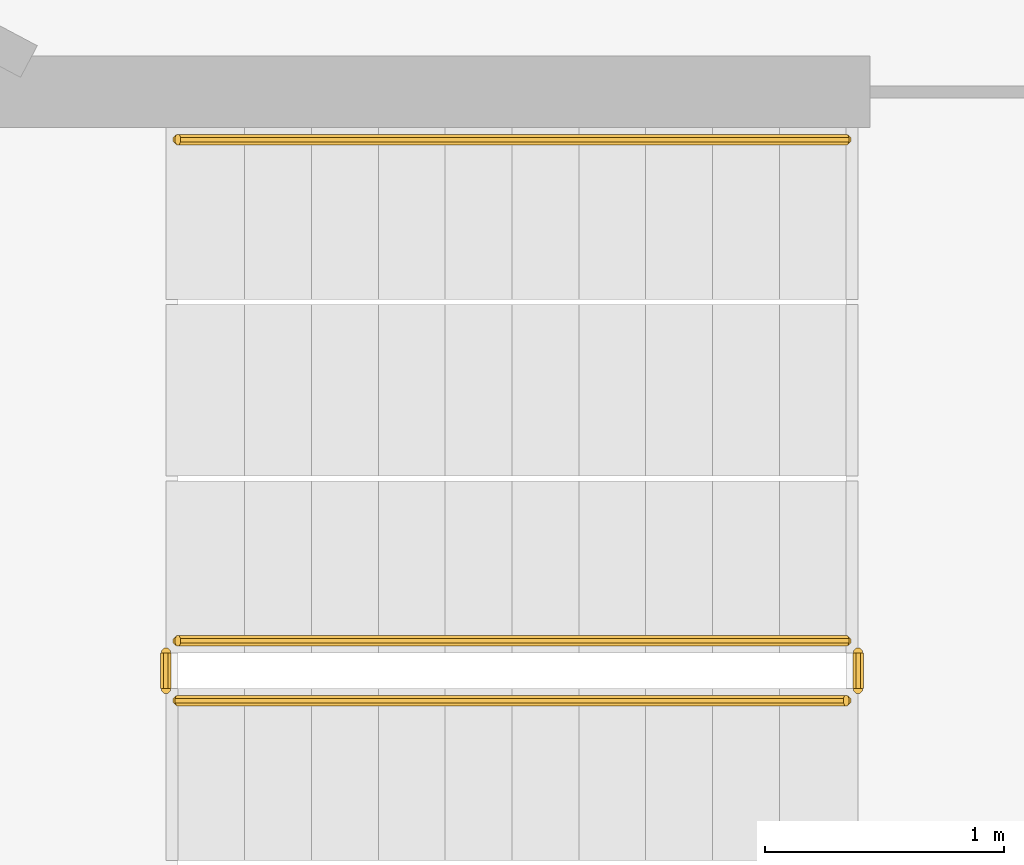
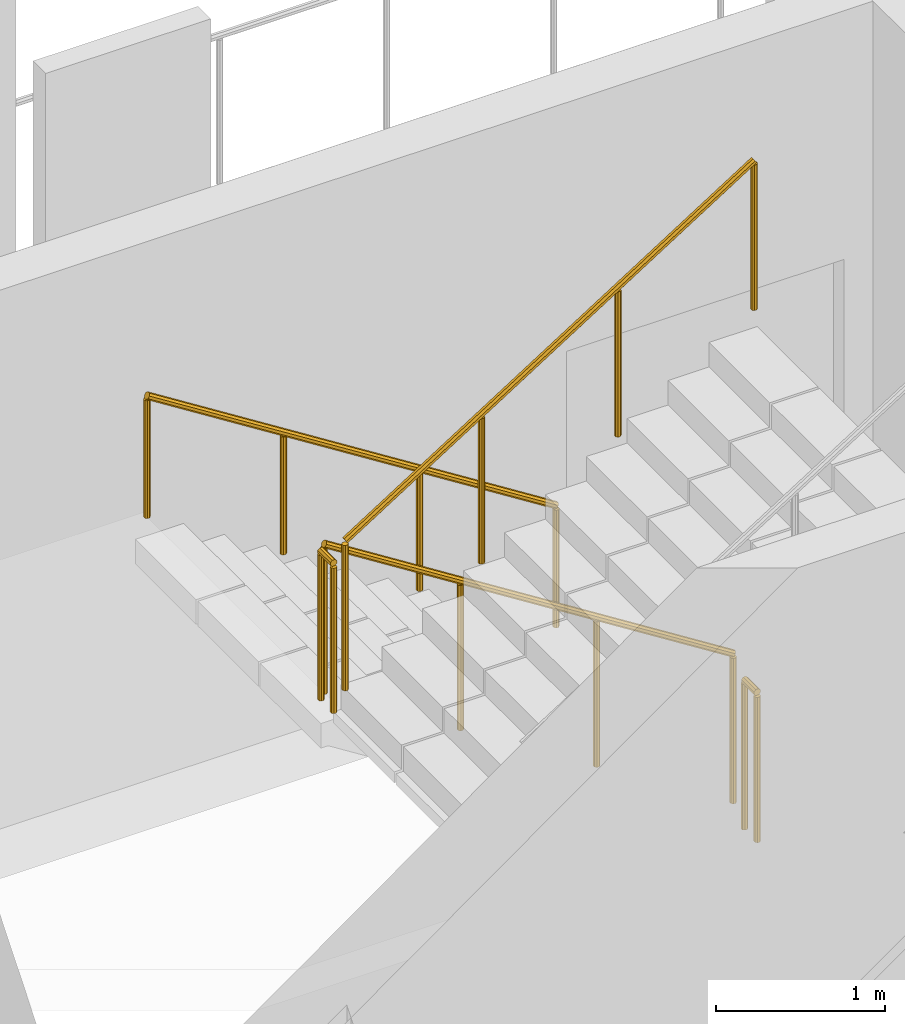
# One storey, part 20 of 26: 5 railings.
"""IFC4 building model written with IfcOpenShell, lengths in metres."""

import ifcopenshell
import ifcopenshell.guid

model = None  # the IFC model being written
_history = None  # IfcOwnerHistory: only IFC2X3 demands one
_inside = {}  # id of a spatial element -> (the spatial element, [elements in it])
_under = {}  # id of a project, library or spatial element -> (it, [spatial elements below it])
_declared = {}  # id of a project -> (the project, [libraries it declares])
_typed = {}  # id of a type object -> (the type object, [elements of that type])
_made_of = {}  # id of a material, layer set ... -> (it, [elements and type objects made of it])


def new_model(schema):
    """Start an empty IFC model of exactly this schema.

    Asked for "IFC4X3", IfcOpenShell would pick the latest addendum, in which some entities
    have other attributes; the version numbers below select the first issue.
    IFC2X3 requires an IfcOwnerHistory on every rooted entity: one is made here for all.
    """
    global model, _history
    if schema == "IFC4X3":
        model = ifcopenshell.file(schema_version=(4, 3, 0, 0))
    else:
        model = ifcopenshell.file(schema=schema)
    _inside.clear()
    _under.clear()
    _declared.clear()
    _typed.clear()
    _made_of.clear()
    _history = None
    if model.schema == "IFC2X3":
        org = make("IfcOrganization", Name="unknown")
        user = make(
            "IfcPersonAndOrganization",
            ThePerson=make("IfcPerson", FamilyName="unknown"),
            TheOrganization=org,
        )
        app = make(
            "IfcApplication",
            ApplicationDeveloper=org,
            Version="unknown",
            ApplicationFullName="unknown",
            ApplicationIdentifier="unknown",
        )
        _history = make(
            "IfcOwnerHistory",
            OwningUser=user,
            OwningApplication=app,
            ChangeAction="ADDED",
            CreationDate=0,
        )
    return model


def make(cls, **values):
    """One entity of the class cls with the attributes given. An attribute that is None is left unset."""
    return model.create_entity(
        cls, **{name: value for name, value in values.items() if value is not None}
    )


def rooted(cls, **values):
    """An entity with a GlobalId (a new one), such as an element, a storey or a relation."""
    return make(cls, GlobalId=ifcopenshell.guid.new(), OwnerHistory=_history, **values)


def si_unit(unit_type, name, prefix=None):
    """IfcSIUnit, for example si_unit("LENGTHUNIT", "METRE", prefix="MILLI")."""
    return make("IfcSIUnit", UnitType=unit_type, Prefix=prefix, Name=name)


def assignment(units):
    """IfcUnitAssignment: the units of a project."""
    return None if units is None else make("IfcUnitAssignment", Units=units)


def point(xyz):
    """IfcCartesianPoint."""
    return None if xyz is None else make("IfcCartesianPoint", Coordinates=xyz)


def direction(xyz):
    """IfcDirection."""
    return None if xyz is None else make("IfcDirection", DirectionRatios=xyz)


def frame(location, z_axis=None, x_axis=None):
    """IfcAxis2Placement3D, a coordinate frame: its origin and axes. An axis left out is left unset."""
    return make(
        "IfcAxis2Placement3D",
        Location=point(location),
        Axis=direction(z_axis),
        RefDirection=direction(x_axis),
    )


def origin():
    """The frame at (0, 0, 0) with its axes left unset."""
    return frame((0.0, 0.0, 0.0))


def place(relative_to, where):
    """IfcLocalPlacement: puts the frame where relative to a parent placement (None: the world)."""
    return make(
        "IfcLocalPlacement", PlacementRelTo=relative_to, RelativePlacement=where
    )


def context(
    kind, dimensions, precision=None, world=None, true_north=None, identifier=None
):
    """IfcGeometricRepresentationContext, for example the 3D "Model" context."""
    return make(
        "IfcGeometricRepresentationContext",
        ContextIdentifier=identifier,
        ContextType=kind,
        CoordinateSpaceDimension=dimensions,
        Precision=precision,
        WorldCoordinateSystem=world,
        TrueNorth=true_north,
    )


def subcontext(parent, identifier, kind, view, scale=None):
    """IfcGeometricRepresentationSubContext, for example "Body" below "Model"."""
    return make(
        "IfcGeometricRepresentationSubContext",
        ContextIdentifier=identifier,
        ContextType=kind,
        ParentContext=parent,
        TargetScale=scale,
        TargetView=view,
    )


def project(units=None, contexts=None):
    """IfcProject with its units and contexts."""
    return rooted(
        "IfcProject",
        Name="project",
        RepresentationContexts=contexts,
        UnitsInContext=assignment(units),
    )


def spatial(cls, under=None, at=None, **own):
    """A site, building, storey or space (cls), placed at a placement, below another one or the project."""
    s = rooted(cls, ObjectPlacement=at, **own)
    if under is not None:
        _under.setdefault(under.id(), (under, []))[1].append(s)
    return s


def polyline(points):
    """IfcPolyline through the points."""
    return make("IfcPolyline", Points=[point(p) for p in points])


def outline(outer, holes=None, kind="AREA"):
    """IfcArbitraryClosedProfileDef: a profile drawn as a closed curve; with holes, ...WithVoids."""
    if holes is None:
        return make("IfcArbitraryClosedProfileDef", ProfileType=kind, OuterCurve=outer)
    return make(
        "IfcArbitraryProfileDefWithVoids",
        ProfileType=kind,
        OuterCurve=outer,
        InnerCurves=holes,
    )


def extrude(swept, where, along, depth):
    """IfcExtrudedAreaSolid: the profile swept, set in the frame where, extruded along a direction by depth."""
    return make(
        "IfcExtrudedAreaSolid",
        SweptArea=swept,
        Position=where,
        ExtrudedDirection=direction(along),
        Depth=depth,
    )


def shape(context_of_items, identifier, shape_type, items):
    """IfcShapeRepresentation: the items that make up one representation, for example the "Body"."""
    return make(
        "IfcShapeRepresentation",
        ContextOfItems=context_of_items,
        RepresentationIdentifier=identifier,
        RepresentationType=shape_type,
        Items=items,
    )


def material(Name=None, Category=None):
    """IfcMaterial."""
    return make("IfcMaterial", Name=Name, Category=Category)


def made_of(thing, what):
    """Note that an element or type object is made of a material, layer set ...; save() writes the relation."""
    if what is not None:
        _made_of.setdefault(what.id(), (what, []))[1].append(thing)
    return thing


def type_object(cls, material=None, **own):
    """A type object (cls), such as IfcWallType, which elements share."""
    return made_of(rooted(cls, **own), material)


def element(
    cls,
    number,
    at=None,
    inside=None,
    cuts=None,
    type_object=None,
    material=None,
    context=None,
    identifier="Body",
    shape_type=None,
    held_by="IfcProductDefinitionShape",
    body=None,
    shapes=None,
    **own,
):
    """One element of the class cls, such as IfcWall. Its Tag is "e" and its number.

    at: its placement. inside: the storey or other place that contains it. cuts: it is an
    opening in that element (IfcRelVoidsElement). A single representation is given by context,
    identifier, shape_type and body (its items); several are given by shapes. held_by: the class
    of the entity that holds the representations. save() writes the other relations.
    """
    e = rooted(cls, Tag="e%d" % number, ObjectPlacement=at, **own)
    if body is not None:
        shapes = [shape(context, identifier, shape_type, body)]
    if shapes is not None:
        e.Representation = make(held_by, Representations=shapes)
    if inside is not None:
        _inside.setdefault(inside.id(), (inside, []))[1].append(e)
    if cuts is not None:
        rooted(
            "IfcRelVoidsElement", RelatingBuildingElement=cuts, RelatedOpeningElement=e
        )
    if type_object is not None:
        _typed.setdefault(type_object.id(), (type_object, []))[1].append(e)
    return made_of(e, material)


def aggregate(whole, parts):
    """IfcRelAggregates: a whole, such as a stair, and the parts it consists of."""
    return rooted("IfcRelAggregates", RelatingObject=whole, RelatedObjects=parts)


def save(model, path):
    """Write the relations noted so far, then the file.

    IfcRelAggregates (storeys below a building ...), IfcRelContainedInSpatialStructure (elements
    in a storey), IfcRelDefinesByType, IfcRelAssociatesMaterial and IfcRelDeclares: one each for
    every whole, place, type object, material and project.
    """
    for whole, parts in _under.values():
        aggregate(whole, parts)
    for where, things in _inside.values():
        rooted(
            "IfcRelContainedInSpatialStructure",
            RelatedElements=things,
            RelatingStructure=where,
        )
    for kind, things in _typed.values():
        rooted("IfcRelDefinesByType", RelatedObjects=things, RelatingType=kind)
    for what, things in _made_of.values():
        rooted("IfcRelAssociatesMaterial", RelatedObjects=things, RelatingMaterial=what)
    for by, libraries in _declared.values():
        rooted("IfcRelDeclares", RelatingContext=by, RelatedDefinitions=libraries)
    model.write(path)


model = new_model("IFC4")

# Units and contexts
model_context = context("Model", 3, precision=1e-05, world=origin(), true_north=direction((0.0, 1.0)))
body_context = subcontext(model_context, "Body", "Model", "MODEL_VIEW")
ifc_project = project(units=[si_unit("LENGTHUNIT", "METRE"), si_unit("AREAUNIT", "SQUARE_METRE"), si_unit("VOLUMEUNIT", "CUBIC_METRE"), si_unit("PLANEANGLEUNIT", "RADIAN"), si_unit("MASSUNIT", "GRAM", prefix="KILO")], contexts=[model_context])

# Site, building, storey
site_placement = place(None, origin())
site = spatial("IfcSite", under=ifc_project, at=site_placement, CompositionType="ELEMENT")
building_placement = place(site_placement, origin())
building = spatial("IfcBuilding", under=site, at=building_placement, Name="Cormorant Relay Tower", CompositionType="ELEMENT")
storey_placement = place(building_placement, frame((0.0, 0.0, 285.300048828125)))
storey = spatial("IfcBuildingStorey", under=building, at=storey_placement, Name="L64", CompositionType="ELEMENT", Elevation=285.300048828125)

# Railings
ifc_material_1 = material(Name="Steel ASTM A572 Grade 50 (Fy 345 MPa)", Category="steel")
railing_type_1 = type_object("IfcRailingType", Name="Stair guard 1100", PredefinedType="GUARDRAIL", material=ifc_material_1)
railing_1_placement = place(storey_placement, frame((1.60009765625, -18.27490234375, 0.17724609375)))
element("IfcRailing", 1, at=railing_1_placement, inside=storey, type_object=railing_type_1, Name="L64 RK1 stair guard 1", PredefinedType="GUARDRAIL", context=body_context, shape_type="SweptSolid", body=[
    extrude(outline(polyline([(0.022216796875, 0.00927734375), (0.00927734375, 0.022216796875), (-0.00927734375, 0.022216796875), (-0.022216796875, 0.00927734375), (-0.022216796875, -0.00927734375), (-0.00927734375, -0.022216796875), (0.00927734375, -0.022216796875), (0.022216796875, -0.00927734375), (0.022216796875, 0.00927734375)])), frame((0.0, 0.0, 1.076171875), z_axis=(-0.844908973607, 0.0, 0.534910110503), x_axis=(0.0, -1.0, 0.0)), (0.0, 0.0, 1.0), 3.31396484375),
    extrude(outline(polyline([(0.019287109375, 0.008056640625), (0.008056640625, 0.019287109375), (-0.008056640625, 0.019287109375), (-0.019287109375, 0.008056640625), (-0.019287109375, -0.008056640625), (-0.008056640625, -0.019287109375), (0.008056640625, -0.019287109375), (0.019287109375, -0.008056640625), (0.019287109375, 0.008056640625)])), origin(), (0.0, 0.0, 1.0), 1.052001953125),
    extrude(outline(polyline([(0.019287109375, 0.008056640625), (0.008056640625, 0.019287109375), (-0.008056640625, 0.019287109375), (-0.019287109375, 0.008056640625), (-0.019287109375, -0.008056640625), (-0.008056640625, -0.019287109375), (0.008056640625, -0.019287109375), (0.019287109375, -0.008056640625), (0.019287109375, 0.008056640625)])), frame((-0.933349609375, 0.0, 0.5908203125)), (0.0, 0.0, 1.0), 1.052001953125),
    extrude(outline(polyline([(0.019287109375, 0.008056640625), (0.008056640625, 0.019287109375), (-0.008056640625, 0.019287109375), (-0.019287109375, 0.008056640625), (-0.019287109375, -0.008056640625), (-0.008056640625, -0.019287109375), (0.008056640625, -0.019287109375), (0.019287109375, -0.008056640625), (0.019287109375, 0.008056640625)])), frame((-1.86669921875, 0.0, 1.181884765625)), (0.0, 0.0, 1.0), 1.052001953125),
    extrude(outline(polyline([(0.019287109375, 0.008056640625), (0.008056640625, 0.019287109375), (-0.008056640625, 0.019287109375), (-0.019287109375, 0.008056640625), (-0.019287109375, -0.008056640625), (-0.008056640625, -0.019287109375), (0.008056640625, -0.019287109375), (0.019287109375, -0.008056640625), (0.019287109375, 0.008056640625)])), frame((-2.800048828125, 0.0, 1.772705078125)), (0.0, 0.0, 1.0), 1.052001953125),
])
railing_2_placement = place(storey_placement, frame((-1.25, -18.324951171875, 1.949951171875)))
element("IfcRailing", 2, at=railing_2_placement, inside=storey, type_object=railing_type_1, Name="L64 RK1 stair guard 2", PredefinedType="GUARDRAIL", context=body_context, shape_type="SweptSolid", body=[
    extrude(outline(polyline([(0.022216796875, 0.00927734375), (0.00927734375, 0.022216796875), (-0.00927734375, 0.022216796875), (-0.022216796875, 0.00927734375), (-0.022216796875, -0.00927734375), (-0.00927734375, -0.022216796875), (0.00927734375, -0.022216796875), (0.022216796875, -0.00927734375), (0.022216796875, 0.00927734375)])), frame((0.0, 0.0, 1.076171875), z_axis=(0.0, -1.0, 0.0), x_axis=(1.0, 0.0, 0.0)), (0.0, 0.0, 1.0), 0.150146484375),
    extrude(outline(polyline([(0.019287109375, 0.008056640625), (0.008056640625, 0.019287109375), (-0.008056640625, 0.019287109375), (-0.019287109375, 0.008056640625), (-0.019287109375, -0.008056640625), (-0.008056640625, -0.019287109375), (0.008056640625, -0.019287109375), (0.019287109375, -0.008056640625), (0.019287109375, 0.008056640625)])), origin(), (0.0, 0.0, 1.0), 1.052001953125),
    extrude(outline(polyline([(0.019287109375, 0.008056640625), (0.008056640625, 0.019287109375), (-0.008056640625, 0.019287109375), (-0.019287109375, 0.008056640625), (-0.019287109375, -0.008056640625), (-0.008056640625, -0.019287109375), (0.008056640625, -0.019287109375), (0.019287109375, -0.008056640625), (0.019287109375, 0.008056640625)])), frame((0.0, -0.150146484375, 0.0)), (0.0, 0.0, 1.0), 1.052001953125),
])
railing_3_placement = place(storey_placement, frame((-1.199951171875, -18.52490234375, 2.127197265625)))
element("IfcRailing", 3, at=railing_3_placement, inside=storey, type_object=railing_type_1, Name="L64 RK1 stair guard 3", PredefinedType="GUARDRAIL", context=body_context, shape_type="SweptSolid", body=[
    extrude(outline(polyline([(0.022216796875, 0.00927734375), (0.00927734375, 0.022216796875), (-0.00927734375, 0.022216796875), (-0.022216796875, 0.00927734375), (-0.022216796875, -0.00927734375), (-0.00927734375, -0.022216796875), (0.00927734375, -0.022216796875), (0.022216796875, -0.00927734375), (0.022216796875, 0.00927734375)])), frame((0.0, 0.0, 1.076171875), z_axis=(0.844908973607, 0.0, 0.534910110503), x_axis=(0.0, 1.0, 0.0)), (0.0, 0.0, 1.0), 3.31396484375),
    extrude(outline(polyline([(0.019287109375, 0.008056640625), (0.008056640625, 0.019287109375), (-0.008056640625, 0.019287109375), (-0.019287109375, 0.008056640625), (-0.019287109375, -0.008056640625), (-0.008056640625, -0.019287109375), (0.008056640625, -0.019287109375), (0.019287109375, -0.008056640625), (0.019287109375, 0.008056640625)])), origin(), (0.0, 0.0, 1.0), 1.052001953125),
    extrude(outline(polyline([(0.019287109375, 0.008056640625), (0.008056640625, 0.019287109375), (-0.008056640625, 0.019287109375), (-0.019287109375, 0.008056640625), (-0.019287109375, -0.008056640625), (-0.008056640625, -0.019287109375), (0.008056640625, -0.019287109375), (0.019287109375, -0.008056640625), (0.019287109375, 0.008056640625)])), frame((0.933349609375, 0.0, 0.5908203125)), (0.0, 0.0, 1.0), 1.052001953125),
    extrude(outline(polyline([(0.019287109375, 0.008056640625), (0.008056640625, 0.019287109375), (-0.008056640625, 0.019287109375), (-0.019287109375, 0.008056640625), (-0.019287109375, -0.008056640625), (-0.008056640625, -0.019287109375), (0.008056640625, -0.019287109375), (0.019287109375, -0.008056640625), (0.019287109375, 0.008056640625)])), frame((1.86669921875, 0.0, 1.181884765625)), (0.0, 0.0, 1.0), 1.052001953125),
    extrude(outline(polyline([(0.019287109375, 0.008056640625), (0.008056640625, 0.019287109375), (-0.008056640625, 0.019287109375), (-0.019287109375, 0.008056640625), (-0.019287109375, -0.008056640625), (-0.008056640625, -0.019287109375), (0.008056640625, -0.019287109375), (0.019287109375, -0.008056640625), (0.019287109375, 0.008056640625)])), frame((2.800048828125, 0.0, 1.772705078125)), (0.0, 0.0, 1.0), 1.052001953125),
])
railing_4_placement = place(storey_placement, frame((1.64990234375, -18.324951171875, 0.0)))
element("IfcRailing", 4, at=railing_4_placement, inside=storey, type_object=railing_type_1, Name="L64 RK1 stair guard 4", PredefinedType="GUARDRAIL", context=body_context, shape_type="SweptSolid", body=[
    extrude(outline(polyline([(0.022216796875, 0.00927734375), (0.00927734375, 0.022216796875), (-0.00927734375, 0.022216796875), (-0.022216796875, 0.00927734375), (-0.022216796875, -0.00927734375), (-0.00927734375, -0.022216796875), (0.00927734375, -0.022216796875), (0.022216796875, -0.00927734375), (0.022216796875, 0.00927734375)])), frame((0.0, 0.0, 1.076171875), z_axis=(0.0, -1.0, 0.0), x_axis=(1.0, 0.0, 0.0)), (0.0, 0.0, 1.0), 0.150146484375),
    extrude(outline(polyline([(0.019287109375, 0.008056640625), (0.008056640625, 0.019287109375), (-0.008056640625, 0.019287109375), (-0.019287109375, 0.008056640625), (-0.019287109375, -0.008056640625), (-0.008056640625, -0.019287109375), (0.008056640625, -0.019287109375), (0.019287109375, -0.008056640625), (0.019287109375, 0.008056640625)])), origin(), (0.0, 0.0, 1.0), 1.052001953125),
    extrude(outline(polyline([(0.019287109375, 0.008056640625), (0.008056640625, 0.019287109375), (-0.008056640625, 0.019287109375), (-0.019287109375, 0.008056640625), (-0.019287109375, -0.008056640625), (-0.008056640625, -0.019287109375), (0.008056640625, -0.019287109375), (0.019287109375, -0.008056640625), (0.019287109375, 0.008056640625)])), frame((0.0, -0.150146484375, 0.0)), (0.0, 0.0, 1.0), 1.052001953125),
])
ifc_material_2 = material(Name="Steel ASTM A572 Grade 50 (Fy 345 MPa)", Category="steel")
railing_type_2 = type_object("IfcRailingType", Name="Stair handrail 900", PredefinedType="HANDRAIL", material=ifc_material_2)
railing_5_placement = place(storey_placement, frame((1.60009765625, -16.175048828125, 0.17724609375)))
element("IfcRailing", 5, at=railing_5_placement, inside=storey, type_object=railing_type_2, Name="L64 RK1 stair handrail 1", PredefinedType="HANDRAIL", context=body_context, shape_type="SweptSolid", body=[
    extrude(outline(polyline([(0.022216796875, 0.00927734375), (0.00927734375, 0.022216796875), (-0.00927734375, 0.022216796875), (-0.022216796875, 0.00927734375), (-0.022216796875, -0.00927734375), (-0.00927734375, -0.022216796875), (0.00927734375, -0.022216796875), (0.022216796875, -0.00927734375), (0.022216796875, 0.00927734375)])), frame((0.0, 0.0, 0.8759765625), z_axis=(-0.844908973607, 0.0, 0.534910110503), x_axis=(0.0, -1.0, 0.0)), (0.0, 0.0, 1.0), 3.31396484375),
    extrude(outline(polyline([(0.019287109375, 0.008056640625), (0.008056640625, 0.019287109375), (-0.008056640625, 0.019287109375), (-0.019287109375, 0.008056640625), (-0.019287109375, -0.008056640625), (-0.008056640625, -0.019287109375), (0.008056640625, -0.019287109375), (0.019287109375, -0.008056640625), (0.019287109375, 0.008056640625)])), origin(), (0.0, 0.0, 1.0), 0.851806640625),
    extrude(outline(polyline([(0.019287109375, 0.008056640625), (0.008056640625, 0.019287109375), (-0.008056640625, 0.019287109375), (-0.019287109375, 0.008056640625), (-0.019287109375, -0.008056640625), (-0.008056640625, -0.019287109375), (0.008056640625, -0.019287109375), (0.019287109375, -0.008056640625), (0.019287109375, 0.008056640625)])), frame((-0.933349609375, 0.0, 0.5908203125)), (0.0, 0.0, 1.0), 0.851806640625),
    extrude(outline(polyline([(0.019287109375, 0.008056640625), (0.008056640625, 0.019287109375), (-0.008056640625, 0.019287109375), (-0.019287109375, 0.008056640625), (-0.019287109375, -0.008056640625), (-0.008056640625, -0.019287109375), (0.008056640625, -0.019287109375), (0.019287109375, -0.008056640625), (0.019287109375, 0.008056640625)])), frame((-1.86669921875, 0.0, 1.181884765625)), (0.0, 0.0, 1.0), 0.851806640625),
    extrude(outline(polyline([(0.019287109375, 0.008056640625), (0.008056640625, 0.019287109375), (-0.008056640625, 0.019287109375), (-0.019287109375, 0.008056640625), (-0.019287109375, -0.008056640625), (-0.008056640625, -0.019287109375), (0.008056640625, -0.019287109375), (0.019287109375, -0.008056640625), (0.019287109375, 0.008056640625)])), frame((-2.800048828125, 0.0, 1.772705078125)), (0.0, 0.0, 1.0), 0.851806640625),
])

save(model, "model.ifc")
